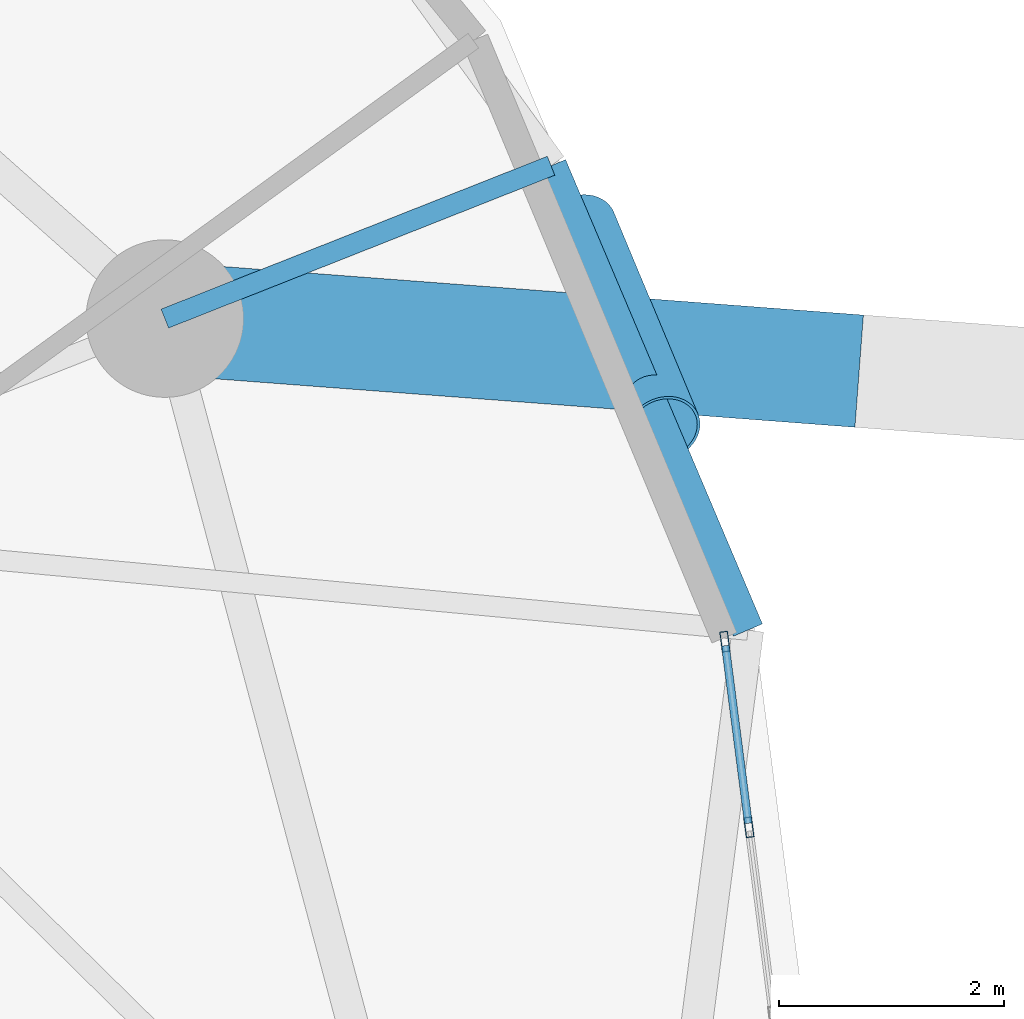
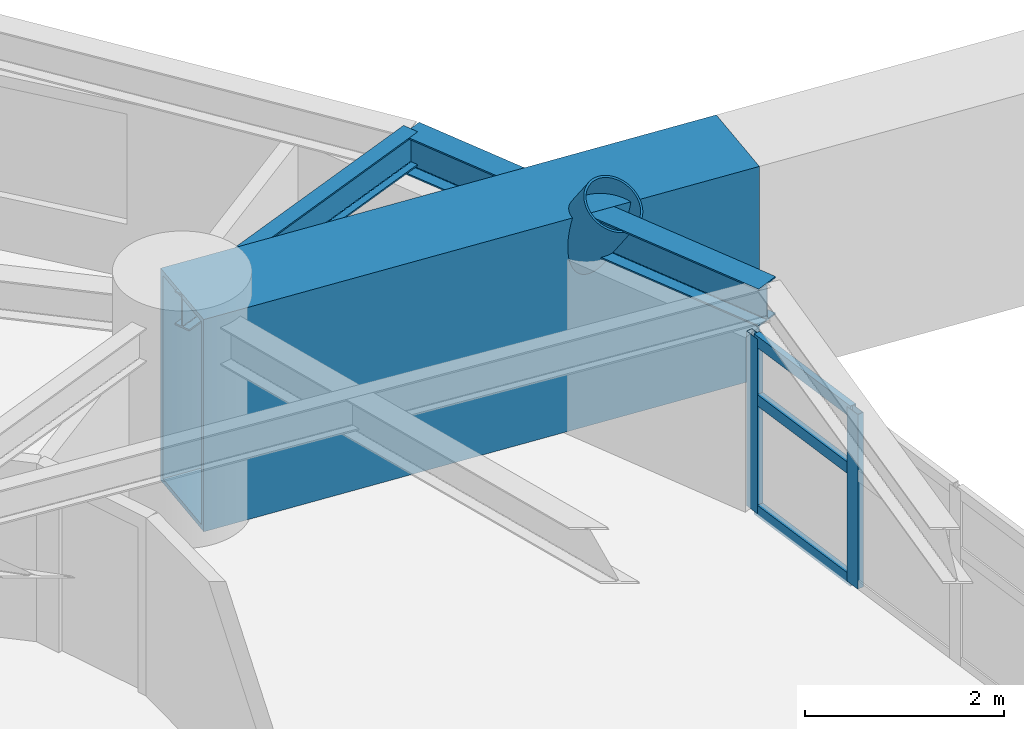
# One storey, part 4 of 18: 6 members, 3 beams, 1 element without a shape of its own.
"""IFC4 building model written with IfcOpenShell, lengths in metres."""

from ifc_helpers import new_model, si_unit, direction, frame, origin, origin_2d, place, context, subcontext, project, spatial, hollow_rectangle, hollow_circle, i_section, extrude, material, layer, layer_set, material_profile, profile_set, type_object, element, aggregate, save


model = new_model("IFC4")

# Units and contexts
model_context = context("Model", 3, precision=1e-05, world=origin(), true_north=direction((0.0, 1.0)))
body_context = subcontext(model_context, "Body", "Model", "MODEL_VIEW")
ifc_project = project(units=[si_unit("LENGTHUNIT", "METRE"), si_unit("AREAUNIT", "SQUARE_METRE"), si_unit("VOLUMEUNIT", "CUBIC_METRE"), si_unit("PLANEANGLEUNIT", "RADIAN"), si_unit("MASSUNIT", "GRAM", prefix="KILO")], contexts=[model_context])

# Site, building, storey
site_placement = place(None, origin())
site = spatial("IfcSite", under=ifc_project, at=site_placement, CompositionType="ELEMENT")
building_placement = place(site_placement, origin())
building = spatial("IfcBuilding", under=site, at=building_placement, Name="Cununo Teusaquillo Station Towers", CompositionType="ELEMENT")
storey_placement = place(building_placement, frame((0.0, 0.0, 122.530029296875)))
storey = spatial("IfcBuildingStorey", under=building, at=storey_placement, Name="L39", CompositionType="ELEMENT", Elevation=122.530029296875)

# Beams
ifc_material_1 = material(Name="Steel ASTM A572 Grade 50", Category="steel")
ifc_material_profile_1 = material_profile(ifc_material_1, i_section(OverallWidth=0.180908203125, OverallDepth=0.4169921875, WebThickness=0.010986328125, FlangeThickness=0.018310546875, FilletRadius=0.012939453125, at=origin_2d()), Name="W16X57")
ifc_profile_set_1 = profile_set([ifc_material_profile_1], Name="Steel ASTM A572 Grade 50")
beam_type_1 = type_object("IfcBeamType", Name="BM-RAD-G2", PredefinedType="BEAM", material=ifc_profile_set_1)
beam_1_placement = place(storey_placement, frame((26.347412109375, 33.228515625, 2.42138671875), z_axis=(0.929861788731, 0.367909029323, 0.0), x_axis=(-0.367909029323, 0.929861788731, 0.0)))
element("IfcBeam", 1, at=beam_1_placement, inside=storey, type_object=beam_type_1, Name="L39 Tower A Perimeter Overhang Girder 02B", PredefinedType="BEAM", context=body_context, shape_type="SweptSolid", body=[
    extrude(i_section(OverallWidth=0.180908203125, OverallDepth=0.4169921875, WebThickness=0.010986328125, FlangeThickness=0.018310546875, FilletRadius=0.012939453125, at=origin_2d()), origin(), (0.0, 0.0, 1.0), 3.690185546875),
])
ifc_material_2 = material(Name="Steel ASTM A572 Grade 50", Category="steel")
ifc_material_profile_2 = material_profile(ifc_material_2, i_section(OverallWidth=0.280029296875, OverallDepth=0.462890625, WebThickness=0.0107421875, FlangeThickness=0.017333984375, FilletRadius=0.013916015625, at=origin_2d()), Name="W18X76")
ifc_profile_set_2 = profile_set([ifc_material_profile_2], Name="Steel ASTM A572 Grade 50")
beam_type_2 = type_object("IfcBeamType", Name="BM-RING-Z2", PredefinedType="SPANDREL", material=ifc_profile_set_2)
beam_2_placement = place(storey_placement, frame((31.527587890625, 30.4609375, 2.3984375), z_axis=(-0.390299356049, 0.920688010494, 0.0), x_axis=(-0.920688010494, -0.390299356049, 0.0)))
element("IfcBeam", 2, at=beam_2_placement, inside=storey, type_object=beam_type_2, Name="L39 Tower A Spandrel Ring Beam 02", PredefinedType="SPANDREL", context=body_context, shape_type="SweptSolid", body=[
    extrude(i_section(OverallWidth=0.280029296875, OverallDepth=0.462890625, WebThickness=0.0107421875, FlangeThickness=0.017333984375, FilletRadius=0.013916015625, at=origin_2d()), origin(), (0.0, 0.0, 1.0), 4.480712890625),
])
ifc_material_3 = material(Name="Steel ASTM A572 Grade 50", Category="steel")
ifc_material_profile_3 = material_profile(ifc_material_3, hollow_rectangle(XDim=1.0, YDim=2.60009765625, WallThickness=0.054931640625, at=origin_2d()), Name="BOX 2600x1000x55")
ifc_profile_set_3 = profile_set([ifc_material_profile_3], Name="Steel ASTM A572 Grade 50")
beam_type_3 = type_object("IfcBeamType", Name="BM-XFER-POD", PredefinedType="USERDEFINED", material=ifc_profile_set_3)
beam_3_placement = place(storey_placement, frame((26.347412109375, 33.228515625, 1.330078125), z_axis=(0.997146155085, -0.075495333624, 0.0), x_axis=(0.075495333624, 0.997146155085, 0.0)))
element("IfcBeam", 3, at=beam_3_placement, inside=storey, type_object=beam_type_3, Name="L40 Mid-Bridge Primary Box Transfer Girder N.1", ObjectType="TRANSFER GIRDER", PredefinedType="USERDEFINED", context=body_context, shape_type="SweptSolid", body=[
    extrude(hollow_rectangle(XDim=1.0, YDim=2.60009765625, WallThickness=0.054931640625, at=origin_2d()), origin(), (0.0, 0.0, 1.0), 6.186279296875),
])

# Curtain wall, members
ifc_material_4 = material(Name="Ceramic-fritted dark low-E double glazing", Category="glass")
ifc_layer = layer(ifc_material_4, 0.179931640625)
ifc_layer_set = layer_set([ifc_layer], Name="Ceramic-fritted dark low-E double glazing")
curtain_wall_type = type_object("IfcCurtainWallType", Name="CW-SYS-04", PredefinedType="USERDEFINED", material=ifc_layer_set)
curtain_wall_placement = place(storey_placement, origin())
curtain_wall = element("IfcCurtainWall", 4, at=curtain_wall_placement, inside=storey, type_object=curtain_wall_type, Name="L39 Tower A Facade Curtain Wall C00", ObjectType="FRITTED GLAZING", PredefinedType="USERDEFINED")
ifc_material_5 = material(Name="Anodised dark bronze aluminium EN AW-6063-T6", Category="aluminium")
ifc_material_profile_4 = material_profile(ifc_material_5, hollow_rectangle(XDim=0.070068359375, YDim=0.179931640625, WallThickness=0.00390625, at=origin_2d()), Name="CW-MULL-70x180")
ifc_profile_set_4 = profile_set([ifc_material_profile_4], Name="Anodised dark bronze aluminium EN AW-6063-T6")
member_type_1 = type_object("IfcMemberType", Name="CWM-180", PredefinedType="MULLION", material=ifc_profile_set_4)
member_1_placement = place(storey_placement, frame((31.322998046875, 30.3583984375, 0.0), z_axis=(0.0, 0.0, 1.0), x_axis=(0.991730764367, 0.128335852387, 0.0)))
member_1 = element("IfcMember", 5, at=member_1_placement, type_object=member_type_1, Name="CW-04 mullion 1", PredefinedType="MULLION", context=body_context, shape_type="SweptSolid", body=[
    extrude(hollow_rectangle(XDim=0.070068359375, YDim=0.179931640625, WallThickness=0.00390625, at=origin_2d()), origin(), (0.0, 0.0, 1.0), 2.138916015625),
])
member_2_placement = place(storey_placement, frame((31.5361328125, 28.709716796875, 0.0), z_axis=(0.0, 0.0, 1.0), x_axis=(0.991730764367, 0.128335852387, 0.0)))
member_2 = element("IfcMember", 6, at=member_2_placement, type_object=member_type_1, Name="CW-04 mullion 2", PredefinedType="MULLION", context=body_context, shape_type="SweptSolid", body=[
    extrude(hollow_rectangle(XDim=0.070068359375, YDim=0.179931640625, WallThickness=0.00390625, at=origin_2d()), origin(), (0.0, 0.0, 1.0), 2.138916015625),
])
ifc_material_6 = material(Name="Anodised dark bronze aluminium EN AW-6063-T6", Category="aluminium")
ifc_material_profile_5 = material_profile(ifc_material_6, hollow_rectangle(XDim=0.070068359375, YDim=0.139892578125, WallThickness=0.00390625, at=origin_2d()), Name="CW-TRAN-70x140")
ifc_profile_set_5 = profile_set([ifc_material_profile_5], Name="Anodised dark bronze aluminium EN AW-6063-T6")
member_type_2 = type_object("IfcMemberType", Name="CWT-140", PredefinedType="USERDEFINED", material=ifc_profile_set_5)
member_3_placement = place(storey_placement, frame((31.327392578125, 30.323486328125, 0.034912109375), z_axis=(0.128336210724, -0.991730717996, 0.0), x_axis=(0.991730717996, 0.128336210724, 0.0)))
member_3 = element("IfcMember", 7, at=member_3_placement, type_object=member_type_2, Name="CW-04 transom 1.1", ObjectType="TRANSOM", PredefinedType="USERDEFINED", context=body_context, shape_type="SweptSolid", body=[
    extrude(hollow_rectangle(XDim=0.070068359375, YDim=0.139892578125, WallThickness=0.00390625, at=origin_2d()), origin(), (0.0, 0.0, 1.0), 1.59228515625),
])
member_4_placement = place(storey_placement, frame((31.327392578125, 30.323486328125, 1.389892578125), z_axis=(0.128336210724, -0.991730717996, 0.0), x_axis=(0.991730717996, 0.128336210724, 0.0)))
member_4 = element("IfcMember", 8, at=member_4_placement, type_object=member_type_2, Name="CW-04 transom 1.2", ObjectType="TRANSOM", PredefinedType="USERDEFINED", context=body_context, shape_type="SweptSolid", body=[
    extrude(hollow_rectangle(XDim=0.070068359375, YDim=0.139892578125, WallThickness=0.00390625, at=origin_2d()), origin(), (0.0, 0.0, 1.0), 1.59228515625),
])
member_5_placement = place(storey_placement, frame((31.327392578125, 30.323486328125, 2.10400390625), z_axis=(0.128336210724, -0.991730717996, 0.0), x_axis=(0.991730717996, 0.128336210724, 0.0)))
member_5 = element("IfcMember", 9, at=member_5_placement, type_object=member_type_2, Name="CW-04 transom 1.3", ObjectType="TRANSOM", PredefinedType="USERDEFINED", context=body_context, shape_type="SweptSolid", body=[
    extrude(hollow_rectangle(XDim=0.070068359375, YDim=0.139892578125, WallThickness=0.00390625, at=origin_2d()), origin(), (0.0, 0.0, 1.0), 1.59228515625),
])
aggregate(curtain_wall, [member_1, member_2, member_3, member_4, member_5])

# Member
ifc_material_7 = material(Name="Steel EN 10025-2 S355J2", Category="steel")
ifc_material_profile_6 = material_profile(ifc_material_7, hollow_circle(Radius=0.330078125, WallThickness=0.02490234375, at=origin_2d()), Name="CHS 660x25")
ifc_profile_set_6 = profile_set([ifc_material_profile_6], Name="Steel EN 10025-2 S355J2")
member_type_3 = type_object("IfcMemberType", Name="MBR-DIAG-Z2", PredefinedType="BRACE", material=ifc_profile_set_6)
member_6_placement = place(storey_placement, frame((30.031494140625, 34.0458984375, -0.14013671875), z_axis=(0.213801258435, -0.512313589893, 0.831759464931), x_axis=(0.922861086318, 0.385132983993, 0.0)))
element("IfcMember", 10, at=member_6_placement, inside=storey, type_object=member_type_3, Name="L39 Tower A Folded-Zigzag Diagrid Tube C01", PredefinedType="BRACE", context=body_context, shape_type="SweptSolid", body=[
    extrude(hollow_circle(Radius=0.330078125, WallThickness=0.02490234375, at=origin_2d()), origin(), (0.0, 0.0, 1.0), 3.498779296875),
])

save(model, "model.ifc")
